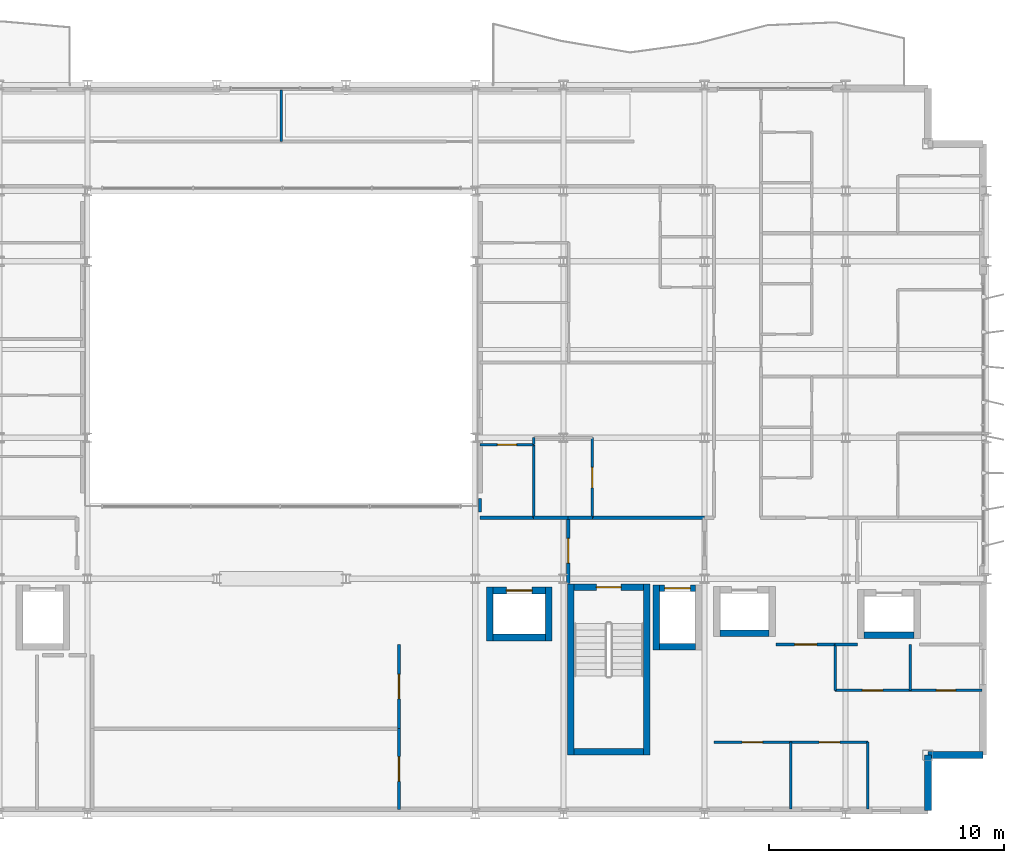
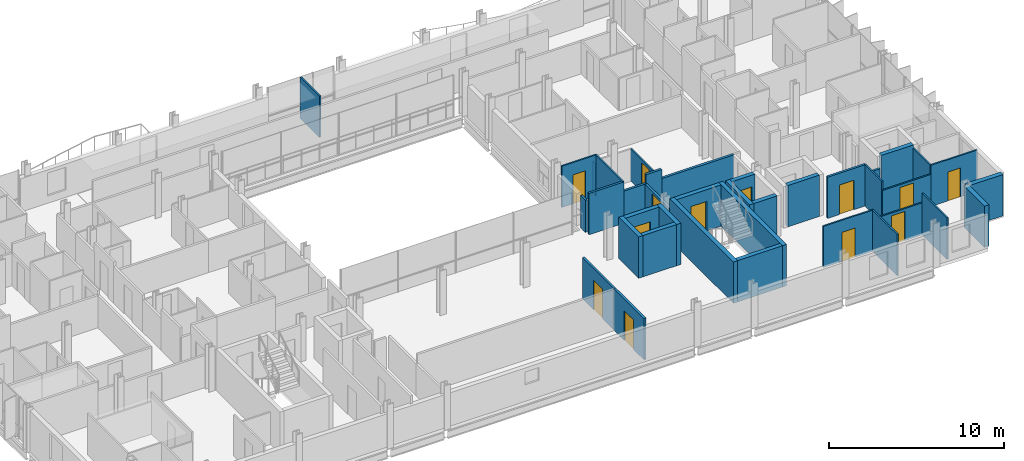
# One storey, part 30 of 39: 38 walls, 13 doors, 13 openings.
"""IFC4 building model written with IfcOpenShell, lengths in metres."""

from ifc_helpers import new_model, si_unit, direction, frame, frame_2d, origin, place, context, subcontext, project, spatial, rectangle, extrude, material, layer, layer_set, type_object, element, fill, save


model = new_model("IFC4")

# Units and contexts
model_context = context("Model", 3, precision=1e-05, world=origin(), true_north=direction((0.0, 1.0)))
body_context = subcontext(model_context, "Body", "Model", "MODEL_VIEW")
ifc_project = project(units=[si_unit("LENGTHUNIT", "METRE"), si_unit("AREAUNIT", "SQUARE_METRE"), si_unit("VOLUMEUNIT", "CUBIC_METRE"), si_unit("PLANEANGLEUNIT", "RADIAN"), si_unit("MASSUNIT", "GRAM", prefix="KILO")], contexts=[model_context])

# Site, building, storey
site_placement = place(None, origin())
site = spatial("IfcSite", under=ifc_project, at=site_placement, CompositionType="ELEMENT")
building_placement = place(site_placement, origin())
building = spatial("IfcBuilding", under=site, at=building_placement, Name="Brevholm Reach", CompositionType="ELEMENT")
storey_placement = place(building_placement, frame((0.0, 0.0, 103.5)))
storey = spatial("IfcBuildingStorey", under=building, at=storey_placement, Name="L30", CompositionType="ELEMENT", Elevation=103.5)

# Walls
ifc_material_1 = material(Name="Concrete C50/60", Category="concrete")
ifc_layer_1 = layer(ifc_material_1, 0.280029296875)
ifc_layer_set_1 = layer_set([ifc_layer_1], Name="Concrete C50/60")
wall_type_1 = type_object("IfcWallType", Name="WAL-COR-280", PredefinedType="SHEAR", material=ifc_layer_set_1)
for number, where, z_axis, x_axis, name in (
    (1, (42.31005859375, 2.5, 0.0), (0.0, 0.0, 1.0), (0.0, 1.0, 0.0), "L30 Escape Stair ST-2 Core Wall W"),
    (2, (45.5400390625, 2.5, 0.0), (0.0, 0.0, 1.0), (0.0, 1.0, 0.0), "L30 Escape Stair ST-2 Core Wall E"),
):
    element("IfcWall", number, at=place(storey_placement, frame(where, z_axis=z_axis, x_axis=x_axis)), inside=storey, type_object=wall_type_1, Name=name, PredefinedType="SHEAR", context=body_context, shape_type="SweptSolid", body=[
        extrude(rectangle(XDim=7.280029296875, YDim=0.280029296875, at=frame_2d((3.64013671875, 0.0))), origin(), (0.0, 0.0, 1.0), 2.8798828125),
    ])
wall_1_placement = place(storey_placement, frame((42.449951171875, 2.639892578125, 0.0), z_axis=(0.0, 0.0, 1.0), x_axis=(1.0, 0.0, 0.0)))
element("IfcWall", 3, at=wall_1_placement, inside=storey, type_object=wall_type_1, Name="L30 Escape Stair ST-2 Core Wall S", PredefinedType="SHEAR", context=body_context, shape_type="SweptSolid", body=[
    extrude(rectangle(XDim=2.949951171875, YDim=0.280029296875, at=frame_2d((1.47509765625, 0.0))), origin(), (0.0, 0.0, 1.0), 2.8798828125),
])

# Wall, opening, door
wall_2_placement = place(storey_placement, frame((45.39990234375, 9.639892578125, 0.0), z_axis=(0.0, 0.0, 1.0), x_axis=(-1.0, 0.0, 0.0)))
wall_2 = element("IfcWall", 4, at=wall_2_placement, inside=storey, type_object=wall_type_1, Name="L30 Escape Stair ST-2 Core Wall N", PredefinedType="SHEAR", context=body_context, shape_type="SweptSolid", body=[
    extrude(rectangle(XDim=2.949951171875, YDim=0.280029296875, at=frame_2d((1.47509765625, 0.0))), origin(), (0.0, 0.0, 1.0), 2.8798828125),
])
opening_1_placement = place(wall_2_placement, frame((0.949951171875, 0.0, 0.0)))
opening_1 = element("IfcOpeningElement", 5, at=opening_1_placement, cuts=wall_2, Name="Opening SD-ST-2", PredefinedType="OPENING", context=body_context, shape_type="SweptSolid", body=[
    extrude(rectangle(XDim=1.050048828125, YDim=2.06005859375, at=frame_2d((0.52490234375, 1.030029296875))), frame((0.0, 0.14990234375, 0.0), z_axis=(0.0, -1.0, 0.0), x_axis=(1.0, 0.0, 0.0)), (0.0, 0.0, 1.0), 0.300048828125),
])
ifc_material_2 = material(Name="Hardwood-Lipped Steel-Core Fire and Smoke Door", Category="steel")
door_type_1 = type_object("IfcDoorType", Name="DOR-INT-FD60S", OperationType="NOTDEFINED", PredefinedType="DOOR", material=ifc_material_2)
door_1_placement = place(opening_1_placement, origin())
door_1 = element("IfcDoor", 6, at=door_1_placement, inside=storey, type_object=door_type_1, Name="L30 Protected Stair ST-2 Lobby Door", OperationType="SINGLE_SWING_LEFT", OverallHeight=2.06005859375, OverallWidth=1.050048828125, PredefinedType="DOOR", context=body_context, shape_type="SweptSolid", body=[
    extrude(rectangle(XDim=1.050048828125, YDim=2.06005859375, at=frame_2d((0.52490234375, 1.030029296875))), frame((0.0, 0.02490234375, 0.0), z_axis=(0.0, -1.0, 0.0), x_axis=(1.0, 0.0, 0.0)), (0.0, 0.0, 1.0), 0.050048828125),
])
fill(opening_1, door_1)

# Walls
wall_3_placement = place(storey_placement, frame((45.949951171875, 6.9599609375, 0.0), z_axis=(0.0, 0.0, 1.0), x_axis=(0.0, 1.0, 0.0)))
element("IfcWall", 7, at=wall_3_placement, inside=storey, type_object=wall_type_1, Name="L30 Lift FFL-2 Shaft Wall W", PredefinedType="SHEAR", context=body_context, shape_type="SweptSolid", body=[
    extrude(rectangle(XDim=2.780029296875, YDim=0.280029296875, at=frame_2d((1.39013671875, 0.0))), origin(), (0.0, 0.0, 1.0), 2.8798828125),
])
wall_4_placement = place(storey_placement, frame((46.090087890625, 7.10009765625, 0.0), z_axis=(0.0, 0.0, 1.0), x_axis=(1.0, 0.0, 0.0)))
element("IfcWall", 8, at=wall_4_placement, inside=storey, type_object=wall_type_1, Name="L30 Lift FFL-2 Shaft Wall S", PredefinedType="SHEAR", context=body_context, shape_type="SweptSolid", body=[
    extrude(rectangle(XDim=1.52001953125, YDim=0.280029296875, at=frame_2d((0.760009765625, 0.0))), origin(), (0.0, 0.0, 1.0), 2.8798828125),
])

# Wall, opening, door
wall_5_placement = place(storey_placement, frame((46.090087890625, 9.60009765625, 0.0), z_axis=(0.0, 0.0, 1.0), x_axis=(1.0, 0.0, 0.0)))
wall_5 = element("IfcWall", 9, at=wall_5_placement, inside=storey, type_object=wall_type_1, Name="L30 Lift FFL-2 Shaft Wall N", PredefinedType="SHEAR", context=body_context, shape_type="SweptSolid", body=[
    extrude(rectangle(XDim=1.52001953125, YDim=0.280029296875, at=frame_2d((0.760009765625, 0.0))), origin(), (0.0, 0.0, 1.0), 2.8798828125),
])
opening_2_placement = place(wall_5_placement, frame((0.2099609375, 0.0, 0.0)))
opening_2 = element("IfcOpeningElement", 10, at=opening_2_placement, cuts=wall_5, Name="Opening LD-FFL-2", PredefinedType="OPENING", context=body_context, shape_type="SweptSolid", body=[
    extrude(rectangle(XDim=1.10009765625, YDim=2.06005859375, at=frame_2d((0.550048828125, 1.030029296875))), frame((0.0, 0.14990234375, 0.0), z_axis=(0.0, -1.0, 0.0), x_axis=(1.0, 0.0, 0.0)), (0.0, 0.0, 1.0), 0.300048828125),
])
ifc_material_3 = material(Name="Brushed Stainless Steel Fire-Rated Sliding Lift Door", Category="steel")
door_type_2 = type_object("IfcDoorType", Name="DOR-LFT-1100", OperationType="NOTDEFINED", PredefinedType="DOOR", material=ifc_material_3)
door_2_placement = place(opening_2_placement, origin())
door_2 = element("IfcDoor", 11, at=door_2_placement, inside=storey, type_object=door_type_2, Name="L30 Lift FFL-2 Sliding Landing Door", OperationType="SLIDING_TO_LEFT", OverallHeight=2.06005859375, OverallWidth=1.10009765625, PredefinedType="DOOR", context=body_context, shape_type="SweptSolid", body=[
    extrude(rectangle(XDim=1.10009765625, YDim=2.06005859375, at=frame_2d((0.550048828125, 1.030029296875))), frame((0.0, 0.02490234375, 0.0), z_axis=(0.0, -1.0, 0.0), x_axis=(1.0, 0.0, 0.0)), (0.0, 0.0, 1.0), 0.050048828125),
])
fill(opening_2, door_2)

# Walls
wall_6_placement = place(storey_placement, frame((48.6650390625, 7.675048828125, 0.0), z_axis=(0.0, 0.0, 1.0), x_axis=(1.0, 0.0, 0.0)))
element("IfcWall", 12, at=wall_6_placement, inside=storey, type_object=wall_type_1, Name="L30 Lift PL-L1 Shaft Wall S", PredefinedType="SHEAR", context=body_context, shape_type="SweptSolid", body=[
    extrude(rectangle(XDim=2.070068359375, YDim=0.280029296875, at=frame_2d((1.03515625, 0.0))), origin(), (0.0, 0.0, 1.0), 2.8798828125),
])
wall_7_placement = place(storey_placement, frame((54.7900390625, 7.60009765625, 0.0), z_axis=(0.0, 0.0, 1.0), x_axis=(1.0, 0.0, 0.0)))
element("IfcWall", 13, at=wall_7_placement, inside=storey, type_object=wall_type_1, Name="L30 Lift PL-L2 Shaft Wall S", PredefinedType="SHEAR", context=body_context, shape_type="SweptSolid", body=[
    extrude(rectangle(XDim=2.119873046875, YDim=0.280029296875, at=frame_2d((1.06005859375, 0.0))), origin(), (0.0, 0.0, 1.0), 2.8798828125),
])
for number, where, z_axis, x_axis, name in (
    (14, (38.8701171875, 7.360107421875, 0.0), (0.0, 0.0, 1.0), (0.0, 1.0, 0.0), "L30 Lift PL-S1 Shaft Wall W"),
    (15, (41.3701171875, 7.360107421875, 0.0), (0.0, 0.0, 1.0), (0.0, 1.0, 0.0), "L30 Lift PL-S1 Shaft Wall E"),
):
    element("IfcWall", number, at=place(storey_placement, frame(where, z_axis=z_axis, x_axis=x_axis)), inside=storey, type_object=wall_type_1, Name=name, PredefinedType="SHEAR", context=body_context, shape_type="SweptSolid", body=[
        extrude(rectangle(XDim=2.27978515625, YDim=0.280029296875, at=frame_2d((1.139892578125, 0.0))), origin(), (0.0, 0.0, 1.0), 2.8798828125),
    ])
wall_8_placement = place(storey_placement, frame((39.010009765625, 7.5, 0.0), z_axis=(0.0, 0.0, 1.0), x_axis=(1.0, 0.0, 0.0)))
element("IfcWall", 16, at=wall_8_placement, inside=storey, type_object=wall_type_1, Name="L30 Lift PL-S1 Shaft Wall S", PredefinedType="SHEAR", context=body_context, shape_type="SweptSolid", body=[
    extrude(rectangle(XDim=2.219970703125, YDim=0.280029296875, at=frame_2d((1.10986328125, 0.0))), origin(), (0.0, 0.0, 1.0), 2.8798828125),
])

# Wall, opening, door
wall_9_placement = place(storey_placement, frame((39.010009765625, 9.5, 0.0), z_axis=(0.0, 0.0, 1.0), x_axis=(1.0, 0.0, 0.0)))
wall_9 = element("IfcWall", 17, at=wall_9_placement, inside=storey, type_object=wall_type_1, Name="L30 Lift PL-S1 Shaft Wall N", PredefinedType="SHEAR", context=body_context, shape_type="SweptSolid", body=[
    extrude(rectangle(XDim=2.219970703125, YDim=0.280029296875, at=frame_2d((1.10986328125, 0.0))), origin(), (0.0, 0.0, 1.0), 2.8798828125),
])
opening_3_placement = place(wall_9_placement, frame((0.56005859375, 0.0, 0.0)))
opening_3 = element("IfcOpeningElement", 18, at=opening_3_placement, cuts=wall_9, Name="Opening LD-PL-S1", PredefinedType="OPENING", context=body_context, shape_type="SweptSolid", body=[
    extrude(rectangle(XDim=1.10009765625, YDim=2.06005859375, at=frame_2d((0.550048828125, 1.030029296875))), frame((0.0, 0.14990234375, 0.0), z_axis=(0.0, -1.0, 0.0), x_axis=(1.0, 0.0, 0.0)), (0.0, 0.0, 1.0), 0.300048828125),
])
door_3_placement = place(opening_3_placement, origin())
door_3 = element("IfcDoor", 19, at=door_3_placement, inside=storey, type_object=door_type_2, Name="L30 Lift PL-S1 Sliding Landing Door", OperationType="SLIDING_TO_RIGHT", OverallHeight=2.06005859375, OverallWidth=1.10009765625, PredefinedType="DOOR", context=body_context, shape_type="SweptSolid", body=[
    extrude(rectangle(XDim=1.10009765625, YDim=2.06005859375, at=frame_2d((0.550048828125, 1.030029296875))), frame((0.0, 0.02490234375, 0.0), z_axis=(0.0, -1.0, 0.0), x_axis=(1.0, 0.0, 0.0)), (0.0, 0.0, 1.0), 0.050048828125),
])
fill(opening_3, door_3)

# Walls
ifc_material_4 = material(Name="Concrete C40/50", Category="concrete")
ifc_layer_2 = layer(ifc_material_4, 0.300048828125)
ifc_layer_set_2 = layer_set([ifc_layer_2], Name="Concrete C40/50")
wall_type_2 = type_object("IfcWallType", Name="WAL-EXT-300", PredefinedType="STANDARD", material=ifc_layer_set_2)
for number, where, z_axis, x_axis, name in (
    (20, (57.5, 0.14990234375, 0.0), (0.0, 0.0, 1.0), (0.0, 1.0, 0.0), "L30 Facade Wall WAL-L30-CSE1"),
    (21, (57.5, 2.5, 0.0), (0.0, 0.0, 1.0), (1.0, 0.0, 0.0), "L30 Facade Wall WAL-L30-CSE2"),
):
    element("IfcWall", number, at=place(storey_placement, frame(where, z_axis=z_axis, x_axis=x_axis)), inside=storey, type_object=wall_type_2, Name=name, PredefinedType="STANDARD", context=body_context, shape_type="SweptSolid", body=[
        extrude(rectangle(XDim=2.35009765625, YDim=0.300048828125, at=frame_2d((1.175048828125, 0.0))), origin(), (0.0, 0.0, 1.0), 2.8798828125),
    ])
ifc_material_5 = material(Name="Moisture-Resistant Acoustic Gypsum Stud Partition 100 mm", Category="gypsum")
ifc_layer_3 = layer(ifc_material_5, 0.10009765625)
ifc_layer_set_3 = layer_set([ifc_layer_3], Name="Moisture-Resistant Acoustic Gypsum Stud Partition 100 mm")
wall_type_3 = type_object("IfcWallType", Name="WAL-PRT-100", PredefinedType="PARTITIONING", material=ifc_layer_set_3)
wall_10_placement = place(storey_placement, frame((56.75, 5.25, 0.0), z_axis=(0.0, 0.0, 1.0), x_axis=(0.0, 1.0, 0.0)))
element("IfcWall", 22, at=wall_10_placement, inside=storey, type_object=wall_type_3, Name="L30 Internal Partition 079", PredefinedType="PARTITIONING", context=body_context, shape_type="SweptSolid", body=[
    extrude(rectangle(XDim=1.949951171875, YDim=0.10009765625, at=frame_2d((0.97509765625, 0.0))), origin(), (0.0, 0.0, 1.0), 2.8798828125),
])

# Wall, opening, door
wall_11_placement = place(storey_placement, frame((56.75, 5.25, 0.0), z_axis=(0.0, 0.0, 1.0), x_axis=(1.0, 0.0, 0.0)))
wall_11 = element("IfcWall", 23, at=wall_11_placement, inside=storey, type_object=wall_type_3, Name="L30 Internal Partition 080", PredefinedType="PARTITIONING", context=body_context, shape_type="SweptSolid", body=[
    extrude(rectangle(XDim=3.050048828125, YDim=0.10009765625, at=frame_2d((1.52490234375, 0.0))), origin(), (0.0, 0.0, 1.0), 2.8798828125),
])
opening_4_placement = place(wall_11_placement, frame((1.114990234375, 0.0, 0.0)))
opening_4 = element("IfcOpeningElement", 24, at=opening_4_placement, cuts=wall_11, Name="Opening ID-03", PredefinedType="OPENING", context=body_context, shape_type="SweptSolid", body=[
    extrude(rectangle(XDim=0.820068359375, YDim=2.02001953125, at=frame_2d((0.41015625, 1.010009765625))), frame((0.0, 0.06005859375, 0.0), z_axis=(0.0, -1.0, 0.0), x_axis=(1.0, 0.0, 0.0)), (0.0, 0.0, 1.0), 0.1201171875),
])
ifc_material_6 = material(Name="Moisture-Resistant Painted Timber Internal Bathroom Door", Category="wood")
door_type_3 = type_object("IfcDoorType", Name="DOR-BATH-820", OperationType="NOTDEFINED", PredefinedType="DOOR", material=ifc_material_6)
door_4_placement = place(opening_4_placement, origin())
door_4 = element("IfcDoor", 25, at=door_4_placement, inside=storey, type_object=door_type_3, Name="L30 Internal Door 028", OperationType="SINGLE_SWING_RIGHT", OverallHeight=2.02001953125, OverallWidth=0.820068359375, PredefinedType="DOOR", context=body_context, shape_type="SweptSolid", body=[
    extrude(rectangle(XDim=0.820068359375, YDim=2.02001953125, at=frame_2d((0.41015625, 1.010009765625))), frame((0.0, 0.02490234375, 0.0), z_axis=(0.0, -1.0, 0.0), x_axis=(1.0, 0.0, 0.0)), (0.0, 0.0, 1.0), 0.050048828125),
])
fill(opening_4, door_4)

wall_12_placement = place(storey_placement, frame((53.55810546875, 5.25, 0.0), z_axis=(0.0, 0.0, 1.0), x_axis=(1.0, 0.0, 0.0)))
wall_12 = element("IfcWall", 26, at=wall_12_placement, inside=storey, type_object=wall_type_3, Name="L30 Internal Partition 081", PredefinedType="PARTITIONING", context=body_context, shape_type="SweptSolid", body=[
    extrude(rectangle(XDim=3.18798828125, YDim=0.10009765625, at=frame_2d((1.593994140625, 0.0))), origin(), (0.0, 0.0, 1.0), 2.242919921875),
])
opening_5_placement = place(wall_12_placement, frame((1.154052734375, 0.0, 0.0)))
opening_5 = element("IfcOpeningElement", 27, at=opening_5_placement, cuts=wall_12, Name="Opening ID-01", PredefinedType="OPENING", context=body_context, shape_type="SweptSolid", body=[
    extrude(rectangle(XDim=0.8798828125, YDim=2.0400390625, at=frame_2d((0.43994140625, 1.02001953125))), frame((0.0, 0.06005859375, 0.0), z_axis=(0.0, -1.0, 0.0), x_axis=(1.0, 0.0, 0.0)), (0.0, 0.0, 1.0), 0.1201171875),
])
ifc_material_7 = material(Name="Lacquered Ash Solid-Core Acoustic Internal Door", Category="timber")
door_type_4 = type_object("IfcDoorType", Name="DOR-INT-880", OperationType="NOTDEFINED", PredefinedType="DOOR", material=ifc_material_7)
door_5_placement = place(opening_5_placement, origin())
door_5 = element("IfcDoor", 28, at=door_5_placement, inside=storey, type_object=door_type_4, Name="L30 Internal Door 029", OperationType="SINGLE_SWING_LEFT", OverallHeight=2.0400390625, OverallWidth=0.8798828125, PredefinedType="DOOR", context=body_context, shape_type="SweptSolid", body=[
    extrude(rectangle(XDim=0.8798828125, YDim=2.0400390625, at=frame_2d((0.43994140625, 1.02001953125))), frame((0.0, 0.02490234375, 0.0), z_axis=(0.0, -1.0, 0.0), x_axis=(1.0, 0.0, 0.0)), (0.0, 0.0, 1.0), 0.050048828125),
])
fill(opening_5, door_5)

# Walls
wall_13_placement = place(storey_placement, frame((53.55810546875, 5.25, 0.0), z_axis=(0.0, 0.0, 1.0), x_axis=(0.0, 1.0, 0.0)))
element("IfcWall", 29, at=wall_13_placement, inside=storey, type_object=wall_type_3, Name="L30 Internal Partition 082", PredefinedType="PARTITIONING", context=body_context, shape_type="SweptSolid", body=[
    extrude(rectangle(XDim=1.946044921875, YDim=0.10009765625, at=frame_2d((0.97314453125, 0.0))), origin(), (0.0, 0.0, 1.0), 2.8798828125),
])
wall_14_placement = place(storey_placement, frame((51.675048828125, 0.199951171875, 0.0), z_axis=(0.0, 0.0, 1.0), x_axis=(0.0, 1.0, 0.0)))
element("IfcWall", 30, at=wall_14_placement, inside=storey, type_object=wall_type_3, Name="L30 Internal Partition 083", PredefinedType="PARTITIONING", context=body_context, shape_type="SweptSolid", body=[
    extrude(rectangle(XDim=2.85009765625, YDim=0.10009765625, at=frame_2d((1.425048828125, 0.0))), origin(), (0.0, 0.0, 1.0), 2.8798828125),
])

# Wall, opening, door
wall_15_placement = place(storey_placement, frame((48.39990234375, 3.050048828125, 0.0), z_axis=(0.0, 0.0, 1.0), x_axis=(1.0, 0.0, 0.0)))
wall_15 = element("IfcWall", 31, at=wall_15_placement, inside=storey, type_object=wall_type_3, Name="L30 Internal Partition 084", PredefinedType="PARTITIONING", context=body_context, shape_type="SweptSolid", body=[
    extrude(rectangle(XDim=3.275146484375, YDim=0.10009765625, at=frame_2d((1.6376953125, 0.0))), origin(), (0.0, 0.0, 1.0), 2.8798828125),
])
opening_6_placement = place(wall_15_placement, frame((1.197509765625, 0.0, 0.0)))
opening_6 = element("IfcOpeningElement", 32, at=opening_6_placement, cuts=wall_15, Name="Opening ID-01", PredefinedType="OPENING", context=body_context, shape_type="SweptSolid", body=[
    extrude(rectangle(XDim=0.8798828125, YDim=2.0400390625, at=frame_2d((0.43994140625, 1.02001953125))), frame((0.0, 0.06005859375, 0.0), z_axis=(0.0, -1.0, 0.0), x_axis=(1.0, 0.0, 0.0)), (0.0, 0.0, 1.0), 0.1201171875),
])
door_6_placement = place(opening_6_placement, origin())
door_6 = element("IfcDoor", 33, at=door_6_placement, inside=storey, type_object=door_type_4, Name="L30 Internal Door 030", OperationType="SINGLE_SWING_RIGHT", OverallHeight=2.0400390625, OverallWidth=0.8798828125, PredefinedType="DOOR", context=body_context, shape_type="SweptSolid", body=[
    extrude(rectangle(XDim=0.8798828125, YDim=2.0400390625, at=frame_2d((0.43994140625, 1.02001953125))), frame((0.0, 0.02490234375, 0.0), z_axis=(0.0, -1.0, 0.0), x_axis=(1.0, 0.0, 0.0)), (0.0, 0.0, 1.0), 0.050048828125),
])
fill(opening_6, door_6)

# Wall
wall_16_placement = place(storey_placement, frame((54.949951171875, 0.199951171875, 0.0), z_axis=(0.0, 0.0, 1.0), x_axis=(0.0, 1.0, 0.0)))
element("IfcWall", 34, at=wall_16_placement, inside=storey, type_object=wall_type_3, Name="L30 Internal Partition 085", PredefinedType="PARTITIONING", context=body_context, shape_type="SweptSolid", body=[
    extrude(rectangle(XDim=2.85009765625, YDim=0.10009765625, at=frame_2d((1.425048828125, 0.0))), origin(), (0.0, 0.0, 1.0), 2.8798828125),
])

# Wall, opening, door
wall_17_placement = place(storey_placement, frame((51.678955078125, 3.050048828125, 0.0), z_axis=(0.0, 0.0, 1.0), x_axis=(1.0, 0.0, 0.0)))
wall_17 = element("IfcWall", 35, at=wall_17_placement, inside=storey, type_object=wall_type_3, Name="L30 Internal Partition 086", PredefinedType="PARTITIONING", context=body_context, shape_type="SweptSolid", body=[
    extrude(rectangle(XDim=3.27099609375, YDim=0.10009765625, at=frame_2d((1.635498046875, 0.0))), origin(), (0.0, 0.0, 1.0), 2.242919921875),
])
opening_7_placement = place(wall_17_placement, frame((1.195556640625, 0.0, 0.0)))
opening_7 = element("IfcOpeningElement", 36, at=opening_7_placement, cuts=wall_17, Name="Opening ID-01", PredefinedType="OPENING", context=body_context, shape_type="SweptSolid", body=[
    extrude(rectangle(XDim=0.8798828125, YDim=2.0400390625, at=frame_2d((0.43994140625, 1.02001953125))), frame((0.0, 0.06005859375, 0.0), z_axis=(0.0, -1.0, 0.0), x_axis=(1.0, 0.0, 0.0)), (0.0, 0.0, 1.0), 0.1201171875),
])
door_7_placement = place(opening_7_placement, origin())
door_7 = element("IfcDoor", 37, at=door_7_placement, inside=storey, type_object=door_type_4, Name="L30 Internal Door 031", OperationType="SINGLE_SWING_LEFT", OverallHeight=2.0400390625, OverallWidth=0.8798828125, PredefinedType="DOOR", context=body_context, shape_type="SweptSolid", body=[
    extrude(rectangle(XDim=0.8798828125, YDim=2.0400390625, at=frame_2d((0.43994140625, 1.02001953125))), frame((0.0, 0.02490234375, 0.0), z_axis=(0.0, -1.0, 0.0), x_axis=(1.0, 0.0, 0.0)), (0.0, 0.0, 1.0), 0.050048828125),
])
fill(opening_7, door_7)

# Wall
wall_18_placement = place(storey_placement, frame((40.738037109375, 12.60400390625, 0.0), z_axis=(0.0, 0.0, 1.0), x_axis=(0.0, 1.0, 0.0)))
element("IfcWall", 38, at=wall_18_placement, inside=storey, type_object=wall_type_3, Name="L30 Internal Partition 125", PredefinedType="PARTITIONING", context=body_context, shape_type="SweptSolid", body=[
    extrude(rectangle(XDim=3.095947265625, YDim=0.10009765625, at=frame_2d((1.5478515625, 0.0))), origin(), (0.0, 0.0, 1.0), 2.8798828125),
])

# Wall, opening, door
wall_19_placement = place(storey_placement, frame((38.449951171875, 15.699951171875, 0.0), z_axis=(0.0, 0.0, 1.0), x_axis=(1.0, 0.0, 0.0)))
wall_19 = element("IfcWall", 39, at=wall_19_placement, inside=storey, type_object=wall_type_3, Name="L30 Internal Partition 126", PredefinedType="PARTITIONING", context=body_context, shape_type="SweptSolid", body=[
    extrude(rectangle(XDim=2.2880859375, YDim=0.10009765625, at=frame_2d((1.14404296875, 0.0))), origin(), (0.0, 0.0, 1.0), 2.8798828125),
])
opening_8_placement = place(wall_19_placement, frame((0.73388671875, 0.0, 0.0)))
opening_8 = element("IfcOpeningElement", 40, at=opening_8_placement, cuts=wall_19, Name="Opening ID-03", PredefinedType="OPENING", context=body_context, shape_type="SweptSolid", body=[
    extrude(rectangle(XDim=0.820068359375, YDim=2.02001953125, at=frame_2d((0.41015625, 1.010009765625))), frame((0.0, 0.06005859375, 0.0), z_axis=(0.0, -1.0, 0.0), x_axis=(1.0, 0.0, 0.0)), (0.0, 0.0, 1.0), 0.1201171875),
])
door_8_placement = place(opening_8_placement, origin())
door_8 = element("IfcDoor", 41, at=door_8_placement, inside=storey, type_object=door_type_3, Name="L30 Internal Door 047", OperationType="SINGLE_SWING_LEFT", OverallHeight=2.02001953125, OverallWidth=0.820068359375, PredefinedType="DOOR", context=body_context, shape_type="SweptSolid", body=[
    extrude(rectangle(XDim=0.820068359375, YDim=2.02001953125, at=frame_2d((0.41015625, 1.010009765625))), frame((0.0, 0.02490234375, 0.0), z_axis=(0.0, -1.0, 0.0), x_axis=(1.0, 0.0, 0.0)), (0.0, 0.0, 1.0), 0.050048828125),
])
fill(opening_8, door_8)

wall_20_placement = place(storey_placement, frame((43.22509765625, 12.60400390625, 0.0), z_axis=(0.0, 0.0, 1.0), x_axis=(0.0, 1.0, 0.0)))
wall_20 = element("IfcWall", 42, at=wall_20_placement, inside=storey, type_object=wall_type_3, Name="L30 Internal Partition 127", PredefinedType="PARTITIONING", context=body_context, shape_type="SweptSolid", body=[
    extrude(rectangle(XDim=3.39599609375, YDim=0.10009765625, at=frame_2d((1.697998046875, 0.0))), origin(), (0.0, 0.0, 1.0), 2.242919921875),
])
opening_9_placement = place(wall_20_placement, frame((1.258056640625, 0.0, 0.0)))
opening_9 = element("IfcOpeningElement", 43, at=opening_9_placement, cuts=wall_20, Name="Opening ID-01", PredefinedType="OPENING", context=body_context, shape_type="SweptSolid", body=[
    extrude(rectangle(XDim=0.8798828125, YDim=2.0400390625, at=frame_2d((0.43994140625, 1.02001953125))), frame((0.0, 0.06005859375, 0.0), z_axis=(0.0, -1.0, 0.0), x_axis=(1.0, 0.0, 0.0)), (0.0, 0.0, 1.0), 0.1201171875),
])
door_9_placement = place(opening_9_placement, origin())
door_9 = element("IfcDoor", 44, at=door_9_placement, inside=storey, type_object=door_type_4, Name="L30 Internal Door 048", OperationType="SINGLE_SWING_RIGHT", OverallHeight=2.0400390625, OverallWidth=0.8798828125, PredefinedType="DOOR", context=body_context, shape_type="SweptSolid", body=[
    extrude(rectangle(XDim=0.8798828125, YDim=2.0400390625, at=frame_2d((0.43994140625, 1.02001953125))), frame((0.0, 0.02490234375, 0.0), z_axis=(0.0, -1.0, 0.0), x_axis=(1.0, 0.0, 0.0)), (0.0, 0.0, 1.0), 0.050048828125),
])
fill(opening_9, door_9)

# Walls
wall_21_placement = place(storey_placement, frame((40.738037109375, 15.7041015625, 0.0), z_axis=(0.0, 0.0, 1.0), x_axis=(0.0, 1.0, 0.0)))
element("IfcWall", 45, at=wall_21_placement, inside=storey, type_object=wall_type_3, Name="L30 Internal Partition 129", PredefinedType="PARTITIONING", context=body_context, shape_type="SweptSolid", body=[
    extrude(rectangle(XDim=0.2958984375, YDim=0.10009765625, at=frame_2d((0.14794921875, 0.0))), origin(), (0.0, 0.0, 1.0), 2.242919921875),
])
wall_22_placement = place(storey_placement, frame((30.0, 28.60400390625, 0.0), z_axis=(0.0, 0.0, 1.0), x_axis=(0.0, 1.0, 0.0)))
element("IfcWall", 46, at=wall_22_placement, inside=storey, type_object=wall_type_3, Name="L30 Internal Partition 164", PredefinedType="PARTITIONING", context=body_context, shape_type="SweptSolid", body=[
    extrude(rectangle(XDim=2.196044921875, YDim=0.10009765625, at=frame_2d((1.09814453125, 0.0))), origin(), (0.0, 0.0, 1.0), 2.8798828125),
])

# Wall, opening, door
ifc_material_8 = material(Name="Twin-Stud Acoustic Fire-Rated Gypsum Partition 140 mm", Category="gypsum")
ifc_layer_4 = layer(ifc_material_8, 0.139892578125)
ifc_layer_set_4 = layer_set([ifc_layer_4], Name="Twin-Stud Acoustic Fire-Rated Gypsum Partition 140 mm")
wall_type_4 = type_object("IfcWallType", Name="WAL-PRT-140", PredefinedType="PARTITIONING", material=ifc_layer_set_4)
wall_23_placement = place(storey_placement, frame((35.0, 0.179931640625, 0.0), z_axis=(0.0, 0.0, 1.0), x_axis=(0.0, 1.0, 0.0)))
wall_23 = element("IfcWall", 47, at=wall_23_placement, inside=storey, type_object=wall_type_4, Name="L30 Internal Partition 001", PredefinedType="PARTITIONING", context=body_context, shape_type="SweptSolid", body=[
    extrude(rectangle(XDim=3.451416015625, YDim=0.139892578125, at=frame_2d((1.7255859375, 0.0))), origin(), (0.0, 0.0, 1.0), 2.8798828125),
])
opening_10_placement = place(wall_23_placement, frame((1.20068359375, 0.0, 0.0)))
opening_10 = element("IfcOpeningElement", 48, at=opening_10_placement, cuts=wall_23, Name="Opening FD-01", PredefinedType="OPENING", context=body_context, shape_type="SweptSolid", body=[
    extrude(rectangle(XDim=1.050048828125, YDim=2.06005859375, at=frame_2d((0.52490234375, 1.030029296875))), frame((0.0, 0.079833984375, 0.0), z_axis=(0.0, -1.0, 0.0), x_axis=(1.0, 0.0, 0.0)), (0.0, 0.0, 1.0), 0.159912109375),
])
door_10_placement = place(opening_10_placement, origin())
door_10 = element("IfcDoor", 49, at=door_10_placement, inside=storey, type_object=door_type_1, Name="L30 Internal Door 001", OperationType="SINGLE_SWING_LEFT", OverallHeight=2.06005859375, OverallWidth=1.050048828125, PredefinedType="DOOR", context=body_context, shape_type="SweptSolid", body=[
    extrude(rectangle(XDim=1.050048828125, YDim=2.06005859375, at=frame_2d((0.52490234375, 1.030029296875))), frame((0.0, 0.02490234375, 0.0), z_axis=(0.0, -1.0, 0.0), x_axis=(1.0, 0.0, 0.0)), (0.0, 0.0, 1.0), 0.050048828125),
])
fill(opening_10, door_10)

wall_24_placement = place(storey_placement, frame((35.0, 3.61279296875, 0.0), z_axis=(0.0, 0.0, 1.0), x_axis=(0.0, 1.0, 0.0)))
wall_24 = element("IfcWall", 50, at=wall_24_placement, inside=storey, type_object=wall_type_4, Name="L30 Internal Partition 002", PredefinedType="PARTITIONING", context=body_context, shape_type="SweptSolid", body=[
    extrude(rectangle(XDim=3.598388671875, YDim=0.139892578125, at=frame_2d((1.79931640625, 0.0))), origin(), (0.0, 0.0, 1.0), 2.8798828125),
])
opening_11_placement = place(wall_24_placement, frame((1.2744140625, 0.0, 0.0)))
opening_11 = element("IfcOpeningElement", 51, at=opening_11_placement, cuts=wall_24, Name="Opening FD-01", PredefinedType="OPENING", context=body_context, shape_type="SweptSolid", body=[
    extrude(rectangle(XDim=1.050048828125, YDim=2.06005859375, at=frame_2d((0.52490234375, 1.030029296875))), frame((0.0, 0.079833984375, 0.0), z_axis=(0.0, -1.0, 0.0), x_axis=(1.0, 0.0, 0.0)), (0.0, 0.0, 1.0), 0.159912109375),
])
door_11_placement = place(opening_11_placement, origin())
door_11 = element("IfcDoor", 52, at=door_11_placement, inside=storey, type_object=door_type_1, Name="L30 Internal Door 002", OperationType="SINGLE_SWING_RIGHT", OverallHeight=2.06005859375, OverallWidth=1.050048828125, PredefinedType="DOOR", context=body_context, shape_type="SweptSolid", body=[
    extrude(rectangle(XDim=1.050048828125, YDim=2.06005859375, at=frame_2d((0.52490234375, 1.030029296875))), frame((0.0, 0.02490234375, 0.0), z_axis=(0.0, -1.0, 0.0), x_axis=(1.0, 0.0, 0.0)), (0.0, 0.0, 1.0), 0.050048828125),
])
fill(opening_11, door_11)

# Wall
wall_25_placement = place(storey_placement, frame((53.546630859375, 7.199951171875, 0.0), z_axis=(0.0, 0.0, 1.0), x_axis=(1.0, 0.0, 0.0)))
element("IfcWall", 53, at=wall_25_placement, inside=storey, type_object=wall_type_4, Name="L30 Internal Partition 010", PredefinedType="PARTITIONING", context=body_context, shape_type="SweptSolid", body=[
    extrude(rectangle(XDim=0.953369140625, YDim=0.139892578125, at=frame_2d((0.4765625, 0.0))), origin(), (0.0, 0.0, 1.0), 2.242919921875),
])

# Wall, opening, door
wall_26_placement = place(storey_placement, frame((51.050048828125, 7.199951171875, 0.0), z_axis=(0.0, 0.0, 1.0), x_axis=(1.0, 0.0, 0.0)))
wall_26 = element("IfcWall", 54, at=wall_26_placement, inside=storey, type_object=wall_type_4, Name="L30 Internal Partition 011", PredefinedType="PARTITIONING", context=body_context, shape_type="SweptSolid", body=[
    extrude(rectangle(XDim=2.51513671875, YDim=0.139892578125, at=frame_2d((1.257568359375, 0.0))), origin(), (0.0, 0.0, 1.0), 2.8798828125),
])
opening_12_placement = place(wall_26_placement, frame((0.78271484375, 0.0, 0.0)))
opening_12 = element("IfcOpeningElement", 55, at=opening_12_placement, cuts=wall_26, Name="Opening ID-30", PredefinedType="OPENING", context=body_context, shape_type="SweptSolid", body=[
    extrude(rectangle(XDim=0.949951171875, YDim=2.050048828125, at=frame_2d((0.47509765625, 1.02490234375))), frame((0.0, 0.079833984375, 0.0), z_axis=(0.0, -1.0, 0.0), x_axis=(1.0, 0.0, 0.0)), (0.0, 0.0, 1.0), 0.159912109375),
])
ifc_material_9 = material(Name="European Oak Veneered Solid-Core Fire Entrance Door", Category="timber")
door_type_5 = type_object("IfcDoorType", Name="DOR-FLT-FD30S", OperationType="NOTDEFINED", PredefinedType="DOOR", material=ifc_material_9)
door_12_placement = place(opening_12_placement, origin())
door_12 = element("IfcDoor", 56, at=door_12_placement, inside=storey, type_object=door_type_5, Name="L30 Internal Door 006", OperationType="SINGLE_SWING_RIGHT", OverallHeight=2.050048828125, OverallWidth=0.949951171875, PredefinedType="DOOR", context=body_context, shape_type="SweptSolid", body=[
    extrude(rectangle(XDim=0.949951171875, YDim=2.050048828125, at=frame_2d((0.47509765625, 1.02490234375))), frame((0.0, 0.02490234375, 0.0), z_axis=(0.0, -1.0, 0.0), x_axis=(1.0, 0.0, 0.0)), (0.0, 0.0, 1.0), 0.050048828125),
])
fill(opening_12, door_12)

# Walls
wall_27_placement = place(storey_placement, frame((38.438720703125, 12.60009765625, 0.0), z_axis=(0.0, 0.0, 1.0), x_axis=(1.0, 0.0, 0.0)))
element("IfcWall", 57, at=wall_27_placement, inside=storey, type_object=wall_type_4, Name="L30 Internal Partition 027", PredefinedType="PARTITIONING", context=body_context, shape_type="SweptSolid", body=[
    extrude(rectangle(XDim=2.310546875, YDim=0.139892578125, at=frame_2d((1.1552734375, 0.0))), origin(), (0.0, 0.0, 1.0), 2.8798828125),
])
wall_28_placement = place(storey_placement, frame((40.730712890625, 12.60009765625, 0.0), z_axis=(0.0, 0.0, 1.0), x_axis=(1.0, 0.0, 0.0)))
element("IfcWall", 58, at=wall_28_placement, inside=storey, type_object=wall_type_4, Name="L30 Internal Partition 028", PredefinedType="PARTITIONING", context=body_context, shape_type="SweptSolid", body=[
    extrude(rectangle(XDim=1.46533203125, YDim=0.139892578125, at=frame_2d((0.732666015625, 0.0))), origin(), (0.0, 0.0, 1.0), 2.242919921875),
])
wall_29_placement = place(storey_placement, frame((38.449951171875, 12.840087890625, 0.0), z_axis=(0.0, 0.0, 1.0), x_axis=(0.0, 1.0, 0.0)))
element("IfcWall", 59, at=wall_29_placement, inside=storey, type_object=wall_type_4, Name="L30 Internal Partition 167", PredefinedType="PARTITIONING", context=body_context, shape_type="SweptSolid", body=[
    extrude(rectangle(XDim=0.5751953125, YDim=0.139892578125, at=frame_2d((0.28759765625, 0.0))), origin(), (0.0, 0.0, 1.0), 2.242919921875),
])

# Wall, opening, door
ifc_material_10 = material(Name="Twin-Frame Fire-Rated Gypsum Board and Mineral Wool 160 mm", Category="gypsum")
ifc_layer_5 = layer(ifc_material_10, 0.159912109375)
ifc_layer_set_5 = layer_set([ifc_layer_5], Name="Twin-Frame Fire-Rated Gypsum Board and Mineral Wool 160 mm")
wall_type_5 = type_object("IfcWallType", Name="WAL-PRT-160", PredefinedType="PARTITIONING", material=ifc_layer_set_5)
wall_30_placement = place(storey_placement, frame((42.199951171875, 9.7900390625, 0.0), z_axis=(0.0, 0.0, 1.0), x_axis=(0.0, 1.0, 0.0)))
wall_30 = element("IfcWall", 60, at=wall_30_placement, inside=storey, type_object=wall_type_5, Name="L30 Internal Partition 019", PredefinedType="PARTITIONING", context=body_context, shape_type="SweptSolid", body=[
    extrude(rectangle(XDim=2.81005859375, YDim=0.159912109375, at=frame_2d((1.405029296875, 0.0))), origin(), (0.0, 0.0, 1.0), 2.242919921875),
])
opening_13_placement = place(wall_30_placement, frame((0.8798828125, 0.0, 0.0)))
opening_13 = element("IfcOpeningElement", 61, at=opening_13_placement, cuts=wall_30, Name="Opening FD-01", PredefinedType="OPENING", context=body_context, shape_type="SweptSolid", body=[
    extrude(rectangle(XDim=1.050048828125, YDim=2.06005859375, at=frame_2d((0.52490234375, 1.030029296875))), frame((0.0, 0.08984375, 0.0), z_axis=(0.0, -1.0, 0.0), x_axis=(1.0, 0.0, 0.0)), (0.0, 0.0, 1.0), 0.179931640625),
])
door_13_placement = place(opening_13_placement, origin())
door_13 = element("IfcDoor", 62, at=door_13_placement, inside=storey, type_object=door_type_1, Name="L30 Internal Door 010", OperationType="SINGLE_SWING_RIGHT", OverallHeight=2.06005859375, OverallWidth=1.050048828125, PredefinedType="DOOR", context=body_context, shape_type="SweptSolid", body=[
    extrude(rectangle(XDim=1.050048828125, YDim=2.06005859375, at=frame_2d((0.52490234375, 1.030029296875))), frame((0.0, 0.02490234375, 0.0), z_axis=(0.0, -1.0, 0.0), x_axis=(1.0, 0.0, 0.0)), (0.0, 0.0, 1.0), 0.050048828125),
])
fill(opening_13, door_13)

# Walls
wall_31_placement = place(storey_placement, frame((42.199951171875, 12.60009765625, 0.0), z_axis=(0.0, 0.0, 1.0), x_axis=(1.0, 0.0, 0.0)))
element("IfcWall", 63, at=wall_31_placement, inside=storey, type_object=wall_type_5, Name="L30 Internal Partition 021", PredefinedType="PARTITIONING", context=body_context, shape_type="SweptSolid", body=[
    extrude(rectangle(XDim=1.036376953125, YDim=0.159912109375, at=frame_2d((0.51806640625, 0.0))), origin(), (0.0, 0.0, 1.0), 2.8798828125),
])
wall_32_placement = place(storey_placement, frame((43.2177734375, 12.60009765625, 0.0), z_axis=(0.0, 0.0, 1.0), x_axis=(1.0, 0.0, 0.0)))
element("IfcWall", 64, at=wall_32_placement, inside=storey, type_object=wall_type_5, Name="L30 Internal Partition 022", PredefinedType="PARTITIONING", context=body_context, shape_type="SweptSolid", body=[
    extrude(rectangle(XDim=4.7822265625, YDim=0.159912109375, at=frame_2d((2.39111328125, 0.0))), origin(), (0.0, 0.0, 1.0), 2.242919921875),
])

save(model, "model.ifc")
